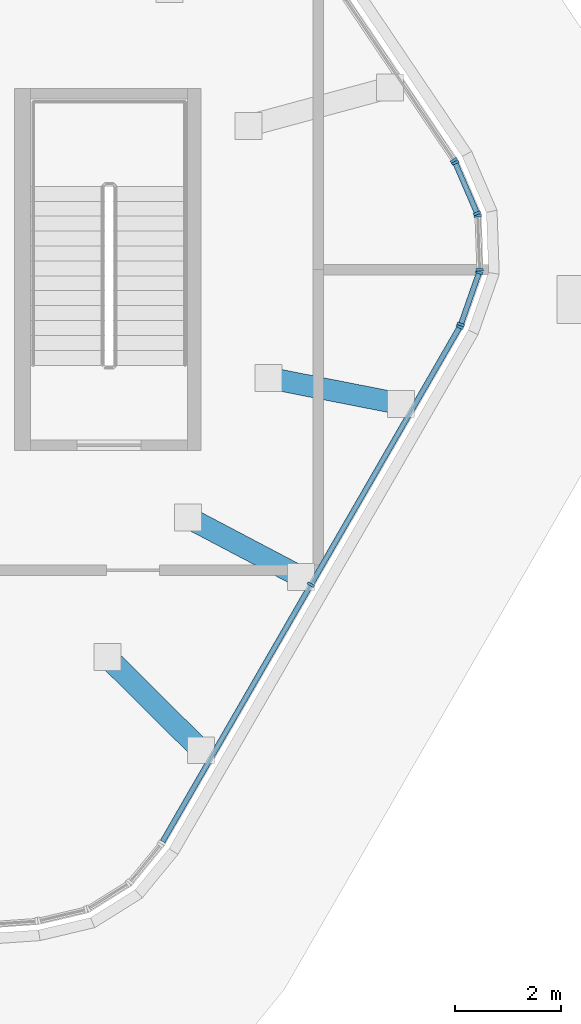
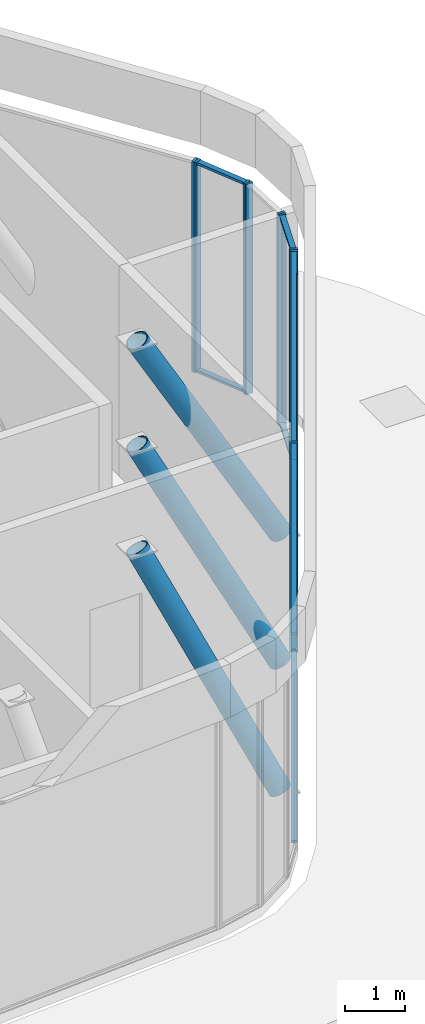
# One storey, part 2 of 9: 20 members, 5 elements without a shape of their own.
"""IFC4 building model written with IfcOpenShell, lengths in metres."""

from ifc_helpers import new_model, si_unit, direction, frame, origin, origin_2d, place, context, subcontext, project, spatial, rectangle, hollow_circle, extrude, material, material_profile, profile_set, type_object, element, aggregate, save


model = new_model("IFC4")

# Units and contexts
model_context = context("Model", 3, precision=1e-05, world=origin(), true_north=direction((0.0, 1.0)))
body_context = subcontext(model_context, "Body", "Model", "MODEL_VIEW")
ifc_project = project(units=[si_unit("LENGTHUNIT", "METRE"), si_unit("AREAUNIT", "SQUARE_METRE"), si_unit("VOLUMEUNIT", "CUBIC_METRE"), si_unit("PLANEANGLEUNIT", "RADIAN"), si_unit("MASSUNIT", "GRAM", prefix="KILO")], contexts=[model_context])

# Site, building, storey
site_placement = place(None, origin())
site = spatial("IfcSite", under=ifc_project, at=site_placement, CompositionType="ELEMENT")
building_placement = place(site_placement, origin())
building = spatial("IfcBuilding", under=site, at=building_placement, Name="Tarnside Tower", CompositionType="ELEMENT")
storey_placement = place(building_placement, frame((0.0, 0.0, 401.699951171875)))
storey = spatial("IfcBuildingStorey", under=building, at=storey_placement, Name="L95", CompositionType="ELEMENT", Elevation=401.699951171875)

# Curtain wall, member
ifc_material_1 = material(Name="Crown glazing wall", Category="glass")
curtain_wall_type = type_object("IfcCurtainWallType", Name="Crown glazing wall", PredefinedType="NOTDEFINED", material=ifc_material_1)
curtain_wall_1_placement = place(storey_placement, origin())
curtain_wall_1 = element("IfcCurtainWall", 1, at=curtain_wall_1_placement, inside=storey, type_object=curtain_wall_type, Name="Crown glazing L95 04", PredefinedType="NOTDEFINED")
ifc_material_2 = material(Name="Aluminium alloy 6063", Category="aluminium")
ifc_material_profile_1 = material_profile(ifc_material_2, rectangle(XDim=0.139892578125, YDim=0.050048828125, at=origin_2d()), Name="Crown glazing mullion 50 x 140")
ifc_profile_set_1 = profile_set([ifc_material_profile_1], Name="Aluminium alloy 6063")
member_type_1 = type_object("IfcMemberType", Name="Crown glazing mullion 50 x 140", PredefinedType="MULLION", material=ifc_profile_set_1)
member_1_placement = place(storey_placement, frame((13.85205078125, 2.049560546875, 0.0), z_axis=(0.0, 0.0, 1.0), x_axis=(0.829037572545, 0.559192903485, 0.0)))
member_1 = element("IfcMember", 2, at=member_1_placement, type_object=member_type_1, Name="CW6 mullion 3", PredefinedType="MULLION", context=body_context, shape_type="SweptSolid", body=[
    extrude(rectangle(XDim=0.139892578125, YDim=0.050048828125, at=origin_2d()), origin(), (0.0, 0.0, 1.0), 4.300048828125),
])
aggregate(curtain_wall_1, [member_1])

# Curtain wall, members
curtain_wall_2_placement = place(storey_placement, origin())
curtain_wall_2 = element("IfcCurtainWall", 3, at=curtain_wall_2_placement, inside=storey, type_object=curtain_wall_type, Name="Crown glazing L95 05", PredefinedType="NOTDEFINED")
member_2_placement = place(storey_placement, frame((13.8759765625, 2.005859375, 0.0), z_axis=(0.0, 0.0, 1.0), x_axis=(0.91821610662, 0.396079766643, 0.0)))
member_2 = element("IfcMember", 4, at=member_2_placement, type_object=member_type_1, Name="CW6 mullion 1", PredefinedType="MULLION", context=body_context, shape_type="SweptSolid", body=[
    extrude(rectangle(XDim=0.139892578125, YDim=0.050048828125, at=origin_2d()), origin(), (0.0, 0.0, 1.0), 4.300048828125),
])
member_3_placement = place(storey_placement, frame((14.2861328125, 1.054931640625, 0.0), z_axis=(0.0, 0.0, 1.0), x_axis=(0.91821610662, 0.396079766643, 0.0)))
member_3 = element("IfcMember", 5, at=member_3_placement, type_object=member_type_1, Name="CW6 mullion 2", PredefinedType="MULLION", context=body_context, shape_type="SweptSolid", body=[
    extrude(rectangle(XDim=0.139892578125, YDim=0.050048828125, at=origin_2d()), origin(), (0.0, 0.0, 1.0), 4.300048828125),
])

curtain_wall_3_placement = place(storey_placement, origin())
curtain_wall_3 = element("IfcCurtainWall", 6, at=curtain_wall_3_placement, inside=storey, type_object=curtain_wall_type, Name="Crown glazing L95 06", PredefinedType="NOTDEFINED")
member_4_placement = place(storey_placement, frame((14.296875, 1.0068359375, 0.0), z_axis=(0.0, 0.0, 1.0), x_axis=(0.999390827051, 0.034899495795, 0.0)))
member_4 = element("IfcMember", 7, at=member_4_placement, type_object=member_type_1, Name="CW6 mullion 1", PredefinedType="MULLION", context=body_context, shape_type="SweptSolid", body=[
    extrude(rectangle(XDim=0.139892578125, YDim=0.050048828125, at=origin_2d()), origin(), (0.0, 0.0, 1.0), 4.300048828125),
])
member_5_placement = place(storey_placement, frame((14.33251953125, -0.007080078125, 0.0), z_axis=(0.0, 0.0, 1.0), x_axis=(0.999390827051, 0.034899495795, 0.0)))
member_5 = element("IfcMember", 8, at=member_5_placement, type_object=member_type_1, Name="CW6 mullion 2", PredefinedType="MULLION", context=body_context, shape_type="SweptSolid", body=[
    extrude(rectangle(XDim=0.139892578125, YDim=0.050048828125, at=origin_2d()), origin(), (0.0, 0.0, 1.0), 4.300048828125),
])
aggregate(curtain_wall_3, [member_4, member_5])

curtain_wall_4_placement = place(storey_placement, origin())
curtain_wall_4 = element("IfcCurtainWall", 9, at=curtain_wall_4_placement, inside=storey, type_object=curtain_wall_type, Name="Crown glazing L95 07", PredefinedType="NOTDEFINED")
member_6_placement = place(storey_placement, frame((14.324951171875, -0.0556640625, 0.0), z_axis=(0.0, 0.0, 1.0), x_axis=(0.943608506471, -0.331063417665, 0.0)))
member_6 = element("IfcMember", 10, at=member_6_placement, type_object=member_type_1, Name="CW6 mullion 1", PredefinedType="MULLION", context=body_context, shape_type="SweptSolid", body=[
    extrude(rectangle(XDim=0.139892578125, YDim=0.050048828125, at=origin_2d()), origin(), (0.0, 0.0, 1.0), 4.300048828125),
])
member_7_placement = place(storey_placement, frame((13.982177734375, -1.032958984375, 0.0), z_axis=(0.0, 0.0, 1.0), x_axis=(0.943608506471, -0.331063417665, 0.0)))
member_7 = element("IfcMember", 11, at=member_7_placement, type_object=member_type_1, Name="CW6 mullion 2", PredefinedType="MULLION", context=body_context, shape_type="SweptSolid", body=[
    extrude(rectangle(XDim=0.139892578125, YDim=0.050048828125, at=origin_2d()), origin(), (0.0, 0.0, 1.0), 4.300048828125),
])

curtain_wall_5_placement = place(storey_placement, origin())
curtain_wall_5 = element("IfcCurtainWall", 12, at=curtain_wall_5_placement, inside=storey, type_object=curtain_wall_type, Name="Crown glazing L95 08", PredefinedType="NOTDEFINED")
member_8_placement = place(storey_placement, frame((13.96142578125, -1.078125, 0.0), z_axis=(0.0, 0.0, 1.0), x_axis=(0.866025403802, -0.49999999997, 0.0)))
member_8 = element("IfcMember", 13, at=member_8_placement, type_object=member_type_1, Name="CW6 mullion 1", PredefinedType="MULLION", context=body_context, shape_type="SweptSolid", body=[
    extrude(rectangle(XDim=0.139892578125, YDim=0.050048828125, at=origin_2d()), origin(), (0.0, 0.0, 1.0), 4.300048828125),
])
member_9_placement = place(storey_placement, frame((11.164306640625, -5.9228515625, 0.0), z_axis=(0.0, 0.0, 1.0), x_axis=(0.866025403802, -0.49999999997, 0.0)))
member_9 = element("IfcMember", 14, at=member_9_placement, type_object=member_type_1, Name="CW6 mullion 2", PredefinedType="MULLION", context=body_context, shape_type="SweptSolid", body=[
    extrude(rectangle(XDim=0.139892578125, YDim=0.050048828125, at=origin_2d()), origin(), (0.0, 0.0, 1.0), 4.300048828125),
])

# Member
ifc_material_profile_2 = material_profile(ifc_material_2, rectangle(XDim=0.10009765625, YDim=0.050048828125, at=origin_2d()), Name="Crown glazing transom 50 x 100")
ifc_profile_set_2 = profile_set([ifc_material_profile_2], Name="Aluminium alloy 6063")
member_type_2 = type_object("IfcMemberType", Name="Crown glazing transom 50 x 100", PredefinedType="USERDEFINED", material=ifc_profile_set_2)
member_10_placement = place(storey_placement, frame((13.885986328125, 1.98291015625, 0.025146484375), z_axis=(0.39607063703, -0.918220044697, 0.0), x_axis=(0.918220044697, 0.39607063703, 0.0)))
member_10 = element("IfcMember", 15, at=member_10_placement, type_object=member_type_2, Name="CW6 transom 1.1", ObjectType="TRANSOM", PredefinedType="USERDEFINED", context=body_context, shape_type="SweptSolid", body=[
    extrude(rectangle(XDim=0.10009765625, YDim=0.050048828125, at=origin_2d()), origin(), (0.0, 0.0, 1.0), 0.985595703125),
])

member_11_placement = place(storey_placement, frame((13.885986328125, 1.98291015625, 4.275146484375), z_axis=(0.39607063703, -0.918220044697, 0.0), x_axis=(0.918220044697, 0.39607063703, 0.0)))
member_11 = element("IfcMember", 16, at=member_11_placement, type_object=member_type_2, Name="CW6 transom 1.2", ObjectType="TRANSOM", PredefinedType="USERDEFINED", context=body_context, shape_type="SweptSolid", body=[
    extrude(rectangle(XDim=0.10009765625, YDim=0.050048828125, at=origin_2d()), origin(), (0.0, 0.0, 1.0), 0.985595703125),
])

aggregate(curtain_wall_2, [member_2, member_3, member_10, member_11])

member_12_placement = place(storey_placement, frame((14.316650390625, -0.079345703125, 0.025146484375), z_axis=(-0.33097935472, -0.943637995605, 0.0), x_axis=(0.943637995605, -0.33097935472, 0.0)))
member_12 = element("IfcMember", 17, at=member_12_placement, type_object=member_type_2, Name="CW6 transom 1.1", ObjectType="TRANSOM", PredefinedType="USERDEFINED", context=body_context, shape_type="SweptSolid", body=[
    extrude(rectangle(XDim=0.10009765625, YDim=0.050048828125, at=origin_2d()), origin(), (0.0, 0.0, 1.0), 0.985595703125),
])

member_13_placement = place(storey_placement, frame((14.316650390625, -0.079345703125, 4.275146484375), z_axis=(-0.33097935472, -0.943637995605, 0.0), x_axis=(0.943637995605, -0.33097935472, 0.0)))
member_13 = element("IfcMember", 18, at=member_13_placement, type_object=member_type_2, Name="CW6 transom 1.2", ObjectType="TRANSOM", PredefinedType="USERDEFINED", context=body_context, shape_type="SweptSolid", body=[
    extrude(rectangle(XDim=0.10009765625, YDim=0.050048828125, at=origin_2d()), origin(), (0.0, 0.0, 1.0), 0.985595703125),
])

aggregate(curtain_wall_4, [member_6, member_7, member_12, member_13])

member_14_placement = place(storey_placement, frame((13.948974609375, -1.099853515625, 0.025146484375), z_axis=(-0.500027399075, -0.866009584343, 0.0), x_axis=(0.866009584343, -0.500027399075, 0.0)))
member_14 = element("IfcMember", 19, at=member_14_placement, type_object=member_type_2, Name="CW6 transom 1.1", ObjectType="TRANSOM", PredefinedType="USERDEFINED", context=body_context, shape_type="SweptSolid", body=[
    extrude(rectangle(XDim=0.10009765625, YDim=0.050048828125, at=origin_2d()), origin(), (0.0, 0.0, 1.0), 5.544189453125),
])

member_15_placement = place(storey_placement, frame((13.948974609375, -1.099853515625, 4.275146484375), z_axis=(-0.500027399075, -0.866009584343, 0.0), x_axis=(0.866009584343, -0.500027399075, 0.0)))
member_15 = element("IfcMember", 20, at=member_15_placement, type_object=member_type_2, Name="CW6 transom 1.2", ObjectType="TRANSOM", PredefinedType="USERDEFINED", context=body_context, shape_type="SweptSolid", body=[
    extrude(rectangle(XDim=0.10009765625, YDim=0.050048828125, at=origin_2d()), origin(), (0.0, 0.0, 1.0), 5.544189453125),
])

member_16_placement = place(storey_placement, frame((11.15185546875, -5.944580078125, 0.025146484375), z_axis=(-0.499994372282, -0.866028652924, 0.0), x_axis=(0.866028652924, -0.499994372282, 0.0)))
member_16 = element("IfcMember", 21, at=member_16_placement, type_object=member_type_2, Name="CW6 transom 2.1", ObjectType="TRANSOM", PredefinedType="USERDEFINED", context=body_context, shape_type="SweptSolid", body=[
    extrude(rectangle(XDim=0.10009765625, YDim=0.050048828125, at=origin_2d()), origin(), (0.0, 0.0, 1.0), 5.5439453125),
])

member_17_placement = place(storey_placement, frame((11.15185546875, -5.944580078125, 4.275146484375), z_axis=(-0.499994372282, -0.866028652924, 0.0), x_axis=(0.866028652924, -0.499994372282, 0.0)))
member_17 = element("IfcMember", 22, at=member_17_placement, type_object=member_type_2, Name="CW6 transom 2.2", ObjectType="TRANSOM", PredefinedType="USERDEFINED", context=body_context, shape_type="SweptSolid", body=[
    extrude(rectangle(XDim=0.10009765625, YDim=0.050048828125, at=origin_2d()), origin(), (0.0, 0.0, 1.0), 5.5439453125),
])

aggregate(curtain_wall_5, [member_8, member_9, member_14, member_15, member_16, member_17])

# Members
ifc_material_3 = material(Name="Steel S355", Category="steel")
ifc_material_profile_3 = material_profile(ifc_material_3, hollow_circle(Radius=0.203125, WallThickness=0.01611328125, at=origin_2d()), Name="CHS 406.4x16")
ifc_profile_set_3 = profile_set([ifc_material_profile_3], Name="Steel S355")
member_type_3 = type_object("IfcMemberType", Name="Truss diagonal CHS 406.4x16", PredefinedType="BRACE", material=ifc_profile_set_3)
member_18_placement = place(storey_placement, frame((9.10400390625, -9.03125, -0.199951171875), z_axis=(-0.342855458126, 0.340147579352, 0.875642483605), x_axis=(-0.704297803867, -0.709904643926, 0.0)))
element("IfcMember", 23, at=member_18_placement, inside=storey, type_object=member_type_3, Name="Crown leg L95 13", PredefinedType="BRACE", context=body_context, shape_type="SweptSolid", body=[
    extrude(hollow_circle(Radius=0.203125, WallThickness=0.01611328125, at=origin_2d()), origin(), (0.0, 0.0, 1.0), 5.13916015625),
])
member_19_placement = place(storey_placement, frame((10.981689453125, -5.779296875, -0.199951171875), z_axis=(-0.416689653955, 0.219305306044, 0.882198908993), x_axis=(-0.465738054253, -0.88492263211, 0.0)))
element("IfcMember", 24, at=member_19_placement, inside=storey, type_object=member_type_3, Name="Crown leg L95 14", PredefinedType="BRACE", context=body_context, shape_type="SweptSolid", body=[
    extrude(hollow_circle(Radius=0.203125, WallThickness=0.01611328125, at=origin_2d()), origin(), (0.0, 0.0, 1.0), 5.100830078125),
])
member_20_placement = place(storey_placement, frame((12.859375, -2.527099609375, -0.199951171875), z_axis=(-0.481835932697, 0.094665755095, 0.871132899605), x_axis=(-0.192783365457, -0.981241343403, 0.0)))
element("IfcMember", 25, at=member_20_placement, inside=storey, type_object=member_type_3, Name="Crown leg L95 15", PredefinedType="BRACE", context=body_context, shape_type="SweptSolid", body=[
    extrude(hollow_circle(Radius=0.203125, WallThickness=0.01611328125, at=origin_2d()), origin(), (0.0, 0.0, 1.0), 5.165771484375),
])

save(model, "model.ifc")
